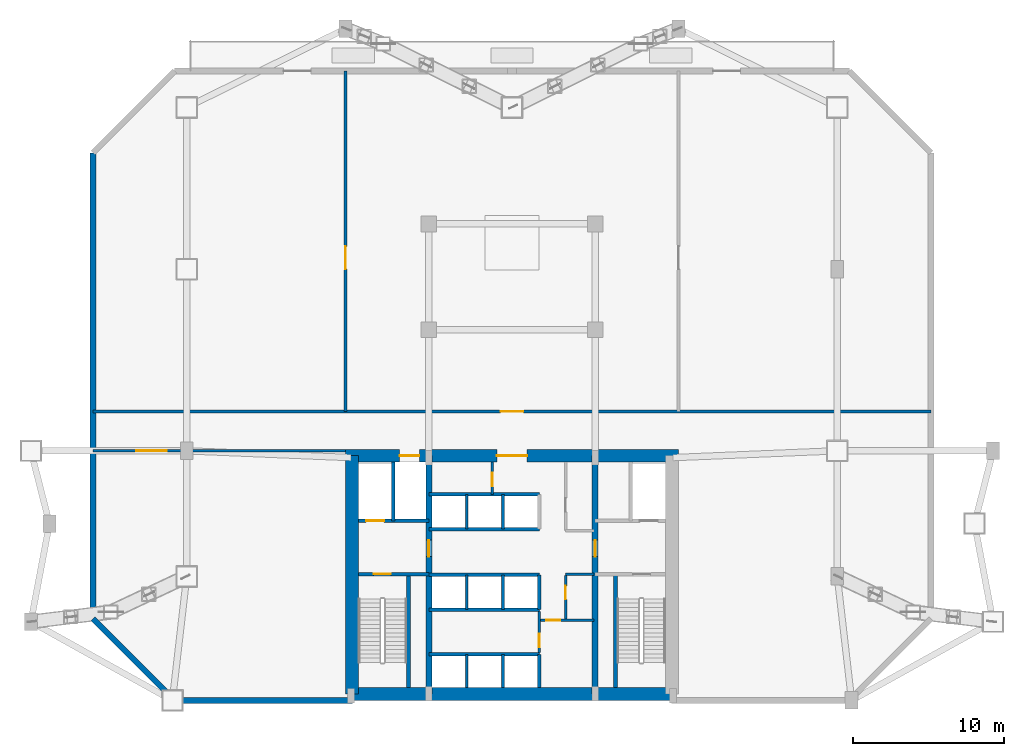
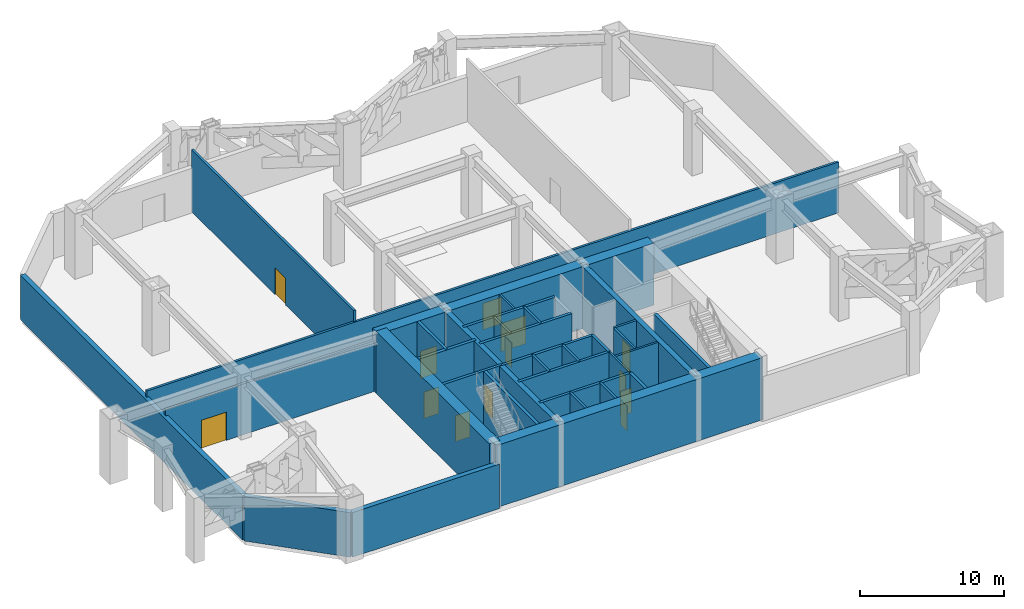
# One storey, part 6 of 9: 34 walls, 13 doors, 13 openings.
"""IFC4 building model written with IfcOpenShell, lengths in metres."""

from ifc_helpers import new_model, si_unit, direction, frame, frame_2d, origin, place, context, subcontext, project, spatial, rectangle, extrude, source, transform, mapped, material, layer, layer_set, type_object, type_shapes, element, fill, save


model = new_model("IFC4")

# Units and contexts
model_context = context("Model", 3, precision=1e-05, world=origin(), true_north=direction((0.0, 1.0)))
body_context = subcontext(model_context, "Body", "Model", "MODEL_VIEW")
ifc_project = project(units=[si_unit("LENGTHUNIT", "METRE"), si_unit("AREAUNIT", "SQUARE_METRE"), si_unit("VOLUMEUNIT", "CUBIC_METRE"), si_unit("PLANEANGLEUNIT", "RADIAN"), si_unit("MASSUNIT", "GRAM", prefix="KILO")], contexts=[model_context])

# Site, building, storey
site_placement = place(None, origin())
site = spatial("IfcSite", under=ifc_project, at=site_placement, CompositionType="ELEMENT")
building_placement = place(site_placement, origin())
building = spatial("IfcBuilding", under=site, at=building_placement, Name="Varnakhor Terracotta Tower", CompositionType="ELEMENT")
storey_placement = place(building_placement, frame((0.0, 0.0, 22.0)))
storey = spatial("IfcBuildingStorey", under=building, at=storey_placement, Name="L04", CompositionType="ELEMENT", Elevation=22.0)

# Wall
ifc_material_1 = material(Name="Concrete C60/75", Category="concrete")
ifc_layer_1 = layer(ifc_material_1, 0.85009765625, Name="Concrete C60/75")
ifc_layer_set_1 = layer_set([ifc_layer_1], Name="Concrete C60/75")
wall_type_1 = type_object("IfcWallType", Name="WAL-CORE-850", PredefinedType="SHEAR", material=ifc_layer_set_1)
wall_1_placement = place(storey_placement, frame((-10.64990234375, 0.425048828125, 0.0), z_axis=(0.0, 0.0, 1.0), x_axis=(1.0, 0.0, 0.0)))
element("IfcWall", 1, at=wall_1_placement, inside=storey, type_object=wall_type_1, Name="L04 South Core Shear Wall", PredefinedType="SHEAR", context=body_context, shape_type="SweptSolid", body=[
    extrude(rectangle(XDim=21.2998046875, YDim=0.85009765625, at=frame_2d((10.64990234375, 0.0))), origin(), (0.0, 0.0, 1.0), 5.25),
])

# Wall, openings, doors
wall_2_placement = place(storey_placement, frame((-11.0, 16.175048828125, 0.0), z_axis=(0.0, 0.0, 1.0), x_axis=(1.0, 0.0, 0.0)))
wall_2 = element("IfcWall", 2, at=wall_2_placement, inside=storey, type_object=wall_type_1, Name="L04 North Core Shear Wall", PredefinedType="SHEAR", context=body_context, shape_type="SweptSolid", body=[
    extrude(rectangle(XDim=22.0, YDim=0.85009765625, at=frame_2d((11.0, 0.0))), origin(), (0.0, 0.0, 1.0), 5.25),
])
opening_1_placement = place(wall_2_placement, frame((3.570068359375, 0.0, 0.0)))
opening_1 = element("IfcOpeningElement", 3, at=opening_1_placement, cuts=wall_2, Name="Opening LD-03", PredefinedType="OPENING", context=body_context, shape_type="SweptSolid", body=[
    extrude(rectangle(XDim=1.300048828125, YDim=2.300048828125, at=frame_2d((0.64990234375, 1.14990234375))), frame((0.0, 0.43505859375, 0.0), z_axis=(0.0, -1.0, 0.0), x_axis=(1.0, 0.0, 0.0)), (0.0, 0.0, 1.0), 0.8701171875),
])
opening_2_placement = place(wall_2_placement, frame((10.0, 0.0, 0.0)))
opening_2 = element("IfcOpeningElement", 4, at=opening_2_placement, cuts=wall_2, Name="Opening DR-32", PredefinedType="OPENING", context=body_context, shape_type="SweptSolid", body=[
    extrude(rectangle(XDim=2.0, YDim=2.39990234375, at=frame_2d((1.0, 1.199951171875))), frame((0.0, 0.43505859375, 0.0), z_axis=(0.0, -1.0, 0.0), x_axis=(1.0, 0.0, 0.0)), (0.0, 0.0, 1.0), 0.8701171875),
])
ifc_material_2 = material(Name="Heavy-Duty Goods Sliding Lift Landing Door", Category="steel")
door_type_1 = type_object("IfcDoorType", Name="LD-SRV-1300X2300", OperationType="NOTDEFINED", PredefinedType="DOOR", material=ifc_material_2)
shared_shape_1 = source(origin(), body_context, "Body", "SweptSolid", [
    extrude(rectangle(XDim=1.300048828125, YDim=2.300048828125, at=frame_2d((0.64990234375, 1.14990234375))), frame((0.0, 0.02490234375, 0.0), z_axis=(0.0, -1.0, 0.0), x_axis=(1.0, 0.0, 0.0)), (0.0, 0.0, 1.0), 0.050048828125),
])
type_shapes(door_type_1, [shared_shape_1])
door_1_placement = place(opening_1_placement, origin())
door_1 = element("IfcDoor", 5, at=door_1_placement, inside=storey, type_object=door_type_1, Name="L04 Service Lift SVL-1 Landing Door", OperationType="SLIDING_TO_RIGHT", OverallHeight=2.300048828125, OverallWidth=1.300048828125, PredefinedType="DOOR", context=body_context, shape_type="MappedRepresentation", body=[
    mapped(shared_shape_1, transform((0.0, 0.0, 0.0), scale=1.0)),
])
fill(opening_1, door_1)
ifc_material_3 = material(Name="Acoustic Double Assembly Fire Door", Category="wood")
door_type_2 = type_object("IfcDoorType", Name="DR-HALL-2000X2400", OperationType="NOTDEFINED", PredefinedType="DOOR", material=ifc_material_3)
shared_shape_2 = source(origin(), body_context, "Body", "SweptSolid", [
    extrude(rectangle(XDim=2.0, YDim=2.39990234375, at=frame_2d((1.0, 1.199951171875))), frame((0.0, 0.02490234375, 0.0), z_axis=(0.0, -1.0, 0.0), x_axis=(1.0, 0.0, 0.0)), (0.0, 0.0, 1.0), 0.050048828125),
])
type_shapes(door_type_2, [shared_shape_2])
door_2_placement = place(opening_2_placement, origin())
door_2 = element("IfcDoor", 6, at=door_2_placement, inside=storey, type_object=door_type_2, Name="L04 Core Main Lobby Double Door", OperationType="DOUBLE_DOOR_SINGLE_SWING", OverallHeight=2.39990234375, OverallWidth=2.0, PredefinedType="DOOR", context=body_context, shape_type="MappedRepresentation", body=[
    mapped(shared_shape_2, transform((0.0, 0.0, 0.0), scale=1.0)),
])
fill(opening_2, door_2)

# Wall
wall_3_placement = place(storey_placement, frame((-10.574951171875, 0.425048828125, 0.0), z_axis=(0.0, 0.0, 1.0), x_axis=(0.0, 1.0, 0.0)))
element("IfcWall", 7, at=wall_3_placement, inside=storey, type_object=wall_type_1, Name="L04 West Core Shear Wall", PredefinedType="SHEAR", context=body_context, shape_type="SweptSolid", body=[
    extrude(rectangle(XDim=15.75, YDim=0.85009765625, at=frame_2d((7.875, 0.0))), origin(), (0.0, 0.0, 1.0), 5.25),
])

# Wall, opening, door
ifc_material_4 = material(Name="Concrete C50/60", Category="concrete")
ifc_layer_2 = layer(ifc_material_4, 0.39990234375, Name="Concrete C50/60")
ifc_layer_set_2 = layer_set([ifc_layer_2], Name="Concrete C50/60")
wall_type_2 = type_object("IfcWallType", Name="WAL-CORE-WEB-400", PredefinedType="SHEAR", material=ifc_layer_set_2)
wall_4_placement = place(storey_placement, frame((-5.5, 0.425048828125, 0.0), z_axis=(0.0, 0.0, 1.0), x_axis=(0.0, 1.0, 0.0)))
wall_4 = element("IfcWall", 8, at=wall_4_placement, inside=storey, type_object=wall_type_2, Name="L04 West Core Web Shear Wall", PredefinedType="SHEAR", context=body_context, shape_type="SweptSolid", body=[
    extrude(rectangle(XDim=15.75, YDim=0.39990234375, at=frame_2d((7.875, 0.0))), origin(), (0.0, 0.0, 1.0), 5.25),
])
opening_3_placement = place(wall_4_placement, frame((9.074951171875, 0.0, 0.0)))
opening_3 = element("IfcOpeningElement", 9, at=opening_3_placement, cuts=wall_4, Name="Opening DR-25", PredefinedType="OPENING", context=body_context, shape_type="SweptSolid", body=[
    extrude(rectangle(XDim=1.10009765625, YDim=2.199951171875, at=frame_2d((0.550048828125, 1.10009765625))), frame((0.0, 0.2099609375, 0.0), z_axis=(0.0, -1.0, 0.0), x_axis=(1.0, 0.0, 0.0)), (0.0, 0.0, 1.0), 0.419921875),
])
ifc_material_5 = material(Name="Firefighting Lobby Self-Closing Fire Door", Category="steel")
door_type_3 = type_object("IfcDoorType", Name="DR-FFL-1100X2200", OperationType="NOTDEFINED", PredefinedType="DOOR", material=ifc_material_5)
shared_shape_3 = source(origin(), body_context, "Body", "SweptSolid", [
    extrude(rectangle(XDim=1.10009765625, YDim=2.199951171875, at=frame_2d((0.550048828125, 1.10009765625))), frame((0.0, 0.02490234375, 0.0), z_axis=(0.0, -1.0, 0.0), x_axis=(1.0, 0.0, 0.0)), (0.0, 0.0, 1.0), 0.050048828125),
])
type_shapes(door_type_3, [shared_shape_3])
door_3_placement = place(opening_3_placement, origin())
door_3 = element("IfcDoor", 10, at=door_3_placement, inside=storey, type_object=door_type_3, Name="L04 West Firefighting Lobby Door", OperationType="SINGLE_SWING_RIGHT", OverallHeight=2.199951171875, OverallWidth=1.10009765625, PredefinedType="DOOR", context=body_context, shape_type="MappedRepresentation", body=[
    mapped(shared_shape_3, transform((0.0, 0.0, 0.0), scale=1.0)),
])
fill(opening_3, door_3)

wall_5_placement = place(storey_placement, frame((5.5, 0.425048828125, 0.0), z_axis=(0.0, 0.0, 1.0), x_axis=(0.0, 1.0, 0.0)))
wall_5 = element("IfcWall", 11, at=wall_5_placement, inside=storey, type_object=wall_type_2, Name="L04 East Core Web Shear Wall", PredefinedType="SHEAR", context=body_context, shape_type="SweptSolid", body=[
    extrude(rectangle(XDim=15.75, YDim=0.39990234375, at=frame_2d((7.875, 0.0))), origin(), (0.0, 0.0, 1.0), 5.25),
])
opening_4_placement = place(wall_5_placement, frame((9.074951171875, 0.0, 0.0)))
opening_4 = element("IfcOpeningElement", 12, at=opening_4_placement, cuts=wall_5, Name="Opening DR-25", PredefinedType="OPENING", context=body_context, shape_type="SweptSolid", body=[
    extrude(rectangle(XDim=1.10009765625, YDim=2.199951171875, at=frame_2d((0.550048828125, 1.10009765625))), frame((0.0, 0.2099609375, 0.0), z_axis=(0.0, -1.0, 0.0), x_axis=(1.0, 0.0, 0.0)), (0.0, 0.0, 1.0), 0.419921875),
])
door_4_placement = place(opening_4_placement, origin())
door_4 = element("IfcDoor", 13, at=door_4_placement, inside=storey, type_object=door_type_3, Name="L04 East Firefighting Lobby Door", OperationType="SINGLE_SWING_RIGHT", OverallHeight=2.199951171875, OverallWidth=1.10009765625, PredefinedType="DOOR", context=body_context, shape_type="MappedRepresentation", body=[
    mapped(shared_shape_3, transform((0.0, 0.0, 0.0), scale=1.0)),
])
fill(opening_4, door_4)

ifc_material_6 = material(Name="Fire-Rated Gypsum Stud Partition", Category="gypsum")
ifc_layer_3 = layer(ifc_material_6, 0.18505859375, Name="Fire-Rated Gypsum Stud Partition")
ifc_layer_set_3 = layer_set([ifc_layer_3], Name="Fire-Rated Gypsum Stud Partition")
wall_type_3 = type_object("IfcWallType", Name="WAL-CORR-185", PredefinedType="PARTITIONING", material=ifc_layer_set_3)
wall_6_placement = place(storey_placement, frame((-27.68994140625, 16.5, 0.0), z_axis=(0.0, 0.0, 1.0), x_axis=(1.0, 0.0, 0.0)))
wall_6 = element("IfcWall", 14, at=wall_6_placement, inside=storey, type_object=wall_type_3, Name="L04 Plant Corridor South Wall", PredefinedType="PARTITIONING", context=body_context, shape_type="SweptSolid", body=[
    extrude(rectangle(XDim=16.669921875, YDim=0.18505859375, at=frame_2d((8.3349609375, 0.0))), origin(), (0.0, 0.0, 1.0), 4.302978515625),
])
opening_5_placement = place(wall_6_placement, frame((2.85791015625, 0.0, 0.0)))
opening_5 = element("IfcOpeningElement", 15, at=opening_5_placement, cuts=wall_6, Name="Opening DR-32", PredefinedType="OPENING", context=body_context, shape_type="SweptSolid", body=[
    extrude(rectangle(XDim=2.0, YDim=2.39990234375, at=frame_2d((1.0, 1.199951171875))), frame((0.0, 0.1025390625, 0.0), z_axis=(0.0, -1.0, 0.0), x_axis=(1.0, 0.0, 0.0)), (0.0, 0.0, 1.0), 0.205078125),
])
door_5_placement = place(opening_5_placement, origin())
door_5 = element("IfcDoor", 16, at=door_5_placement, inside=storey, type_object=door_type_2, Name="L04 Smoke Fan Room Door", OperationType="DOUBLE_DOOR_SINGLE_SWING", OverallHeight=2.39990234375, OverallWidth=2.0, PredefinedType="DOOR", context=body_context, shape_type="MappedRepresentation", body=[
    mapped(shared_shape_2, transform((0.0, 0.0, 0.0), scale=1.0)),
])
fill(opening_5, door_5)

wall_7_placement = place(storey_placement, frame((-27.68994140625, 19.10009765625, 0.0), z_axis=(0.0, 0.0, 1.0), x_axis=(1.0, 0.0, 0.0)))
wall_7 = element("IfcWall", 17, at=wall_7_placement, inside=storey, type_object=wall_type_3, Name="L04 Plant Corridor North Wall", PredefinedType="PARTITIONING", context=body_context, shape_type="SweptSolid", body=[
    extrude(rectangle(XDim=55.3798828125, YDim=0.18505859375, at=frame_2d((27.68994140625, 0.0))), origin(), (0.0, 0.0, 1.0), 4.302978515625),
])
opening_6_placement = place(wall_7_placement, frame((26.93994140625, 0.0, 0.0)))
opening_6 = element("IfcOpeningElement", 18, at=opening_6_placement, cuts=wall_7, Name="Opening DR-30", PredefinedType="OPENING", context=body_context, shape_type="SweptSolid", body=[
    extrude(rectangle(XDim=1.5, YDim=2.25, at=frame_2d((0.75, 1.125))), frame((0.0, 0.1025390625, 0.0), z_axis=(0.0, -1.0, 0.0), x_axis=(1.0, 0.0, 0.0)), (0.0, 0.0, 1.0), 0.205078125),
])
ifc_material_7 = material(Name="Double Acoustic Conference Room Door", Category="wood")
door_type_4 = type_object("IfcDoorType", Name="DR-MEET-1500X2250", OperationType="NOTDEFINED", PredefinedType="DOOR", material=ifc_material_7)
shared_shape_4 = source(origin(), body_context, "Body", "SweptSolid", [
    extrude(rectangle(XDim=1.5, YDim=2.25, at=frame_2d((0.75, 1.125))), frame((0.0, 0.02490234375, 0.0), z_axis=(0.0, -1.0, 0.0), x_axis=(1.0, 0.0, 0.0)), (0.0, 0.0, 1.0), 0.050048828125),
])
type_shapes(door_type_4, [shared_shape_4])
door_6_placement = place(opening_6_placement, origin())
door_6 = element("IfcDoor", 19, at=door_6_placement, inside=storey, type_object=door_type_4, Name="L04 Central AHU Plant Door", OperationType="DOUBLE_DOOR_SINGLE_SWING", OverallHeight=2.25, OverallWidth=1.5, PredefinedType="DOOR", context=body_context, shape_type="MappedRepresentation", body=[
    mapped(shared_shape_4, transform((0.0, 0.0, 0.0), scale=1.0)),
])
fill(opening_6, door_6)

wall_8_placement = place(storey_placement, frame((-11.0, 19.10009765625, 0.0), z_axis=(0.0, 0.0, 1.0), x_axis=(0.0, 1.0, 0.0)))
wall_8 = element("IfcWall", 20, at=wall_8_placement, inside=storey, type_object=wall_type_3, Name="L04 West Plant Division Wall", PredefinedType="PARTITIONING", context=body_context, shape_type="SweptSolid", body=[
    extrude(rectangle(XDim=22.489990234375, YDim=0.18505859375, at=frame_2d((11.2451171875, 0.0))), origin(), (0.0, 0.0, 1.0), 5.241943359375),
])
opening_7_placement = place(wall_8_placement, frame((9.404541015625, 0.0, 0.0)))
opening_7 = element("IfcOpeningElement", 21, at=opening_7_placement, cuts=wall_8, Name="Opening DR-30", PredefinedType="OPENING", context=body_context, shape_type="SweptSolid", body=[
    extrude(rectangle(XDim=1.5, YDim=2.25, at=frame_2d((0.75, 1.125))), frame((0.0, 0.1025390625, 0.0), z_axis=(0.0, -1.0, 0.0), x_axis=(1.0, 0.0, 0.0)), (0.0, 0.0, 1.0), 0.205078125),
])
door_7_placement = place(opening_7_placement, origin())
door_7 = element("IfcDoor", 22, at=door_7_placement, inside=storey, type_object=door_type_4, Name="L04 Chilled Water Room Door", OperationType="DOUBLE_DOOR_SINGLE_SWING", OverallHeight=2.25, OverallWidth=1.5, PredefinedType="DOOR", context=body_context, shape_type="MappedRepresentation", body=[
    mapped(shared_shape_4, transform((0.0, 0.0, 0.0), scale=1.0)),
])
fill(opening_7, door_7)

# Walls
ifc_material_8 = material(Name="Honed Riyadh Limestone Assembly", Category="masonry")
ifc_layer_4 = layer(ifc_material_8, 0.3798828125, Name="Honed Riyadh Limestone Assembly")
ifc_layer_set_4 = layer_set([ifc_layer_4], Name="Honed Riyadh Limestone Assembly")
wall_type_4 = type_object("IfcWallType", Name="WAL-EXT-LIMESTONE-380", PredefinedType="SOLIDWALL", material=ifc_layer_set_4)
wall_9_placement = place(storey_placement, frame((-27.699951171875, 5.39990234375, 0.0), z_axis=(0.0, 0.0, 1.0), x_axis=(0.0, 1.0, 0.0)))
element("IfcWall", 23, at=wall_9_placement, inside=storey, type_object=wall_type_4, Name="L04 Podium Side Limestone Wall 1", PredefinedType="SOLIDWALL", context=body_context, shape_type="SweptSolid", body=[
    extrude(rectangle(XDim=30.800048828125, YDim=0.3798828125, at=frame_2d((15.39990234375, 0.0))), origin(), (0.0, 0.0, 1.0), 3.77001953125),
])
wall_10_placement = place(storey_placement, frame((-10.550048828125, 0.0, 0.0), z_axis=(0.0, 0.0, 1.0), x_axis=(-1.0, 0.0, 0.0)))
element("IfcWall", 24, at=wall_10_placement, inside=storey, type_object=wall_type_4, Name="L04 Limestone Podium Wall SW", PredefinedType="SOLIDWALL", context=body_context, shape_type="SweptSolid", body=[
    extrude(rectangle(XDim=11.75, YDim=0.3798828125, at=frame_2d((5.875, 0.0))), origin(), (0.0, 0.0, 1.0), 3.77001953125),
])
wall_11_placement = place(storey_placement, frame((-22.300048828125, 0.0, 0.0), z_axis=(0.0, 0.0, 1.0), x_axis=(-0.707106781187, 0.707106781187, 0.0)))
element("IfcWall", 25, at=wall_11_placement, inside=storey, type_object=wall_type_4, Name="L04 Podium Chamfer Limestone Wall 8", PredefinedType="SOLIDWALL", context=body_context, shape_type="SweptSolid", body=[
    extrude(rectangle(XDim=7.63671875, YDim=0.3798828125, at=frame_2d((3.818359375, 0.0))), origin(), (0.0, 0.0, 1.0), 3.77001953125),
])

# Wall, opening, door
ifc_material_9 = material(Name="Concrete C40/50", Category="concrete")
ifc_layer_5 = layer(ifc_material_9, 0.219970703125, Name="Concrete C40/50")
ifc_layer_set_5 = layer_set([ifc_layer_5], Name="Concrete C40/50")
wall_type_5 = type_object("IfcWallType", Name="WAL-FFLOBBY-220", PredefinedType="SOLIDWALL", material=ifc_layer_set_5)
wall_12_placement = place(storey_placement, frame((-5.5, 8.35009765625, 0.0), z_axis=(0.0, 0.0, 1.0), x_axis=(-1.0, 0.0, 0.0)))
wall_12 = element("IfcWall", 26, at=wall_12_placement, inside=storey, type_object=wall_type_5, Name="L04 West Firefighting Lobby Stair Wall", PredefinedType="SOLIDWALL", context=body_context, shape_type="SweptSolid", body=[
    extrude(rectangle(XDim=4.64990234375, YDim=0.219970703125, at=frame_2d((2.324951171875, 0.0))), origin(), (0.0, 0.0, 1.0), 5.25),
])
opening_8_placement = place(wall_12_placement, frame((2.5, 0.0, 0.0)))
opening_8 = element("IfcOpeningElement", 27, at=opening_8_placement, cuts=wall_12, Name="Opening DR-34", PredefinedType="OPENING", context=body_context, shape_type="SweptSolid", body=[
    extrude(rectangle(XDim=1.14990234375, YDim=2.199951171875, at=frame_2d((0.574951171875, 1.10009765625))), frame((0.0, 0.1201171875, 0.0), z_axis=(0.0, -1.0, 0.0), x_axis=(1.0, 0.0, 0.0)), (0.0, 0.0, 1.0), 0.239990234375),
])
ifc_material_10 = material(Name="Self-Closing Smoke-Sealed Steel Fire Door", Category="steel")
door_type_5 = type_object("IfcDoorType", Name="DR-STAIR-1150X2200", OperationType="NOTDEFINED", PredefinedType="DOOR", material=ifc_material_10)
shared_shape_5 = source(origin(), body_context, "Body", "SweptSolid", [
    extrude(rectangle(XDim=1.14990234375, YDim=2.199951171875, at=frame_2d((0.574951171875, 1.10009765625))), frame((0.0, 0.02490234375, 0.0), z_axis=(0.0, -1.0, 0.0), x_axis=(1.0, 0.0, 0.0)), (0.0, 0.0, 1.0), 0.050048828125),
])
type_shapes(door_type_5, [shared_shape_5])
door_8_placement = place(opening_8_placement, origin())
door_8 = element("IfcDoor", 28, at=door_8_placement, inside=storey, type_object=door_type_5, Name="L04 Exit Stair ST-1 Fire Door", OperationType="SINGLE_SWING_LEFT", OverallHeight=2.199951171875, OverallWidth=1.14990234375, PredefinedType="DOOR", context=body_context, shape_type="MappedRepresentation", body=[
    mapped(shared_shape_5, transform((0.0, 0.0, 0.0), scale=1.0)),
])
fill(opening_8, door_8)

# Walls
ifc_layer_6 = layer(ifc_material_9, 0.179931640625, Name="Concrete C40/50")
ifc_layer_set_6 = layer_set([ifc_layer_6], Name="Concrete C40/50")
wall_type_6 = type_object("IfcWallType", Name="WAL-SHAFT-180", PredefinedType="SOLIDWALL", material=ifc_layer_set_6)
for number, where, z_axis, x_axis, name in (
    (29, (-3.0, 0.85009765625, 0.0), (0.0, 0.0, 1.0), (0.0, 1.0, 0.0), "L04 PL-1A Divider"),
    (30, (-0.60009765625, 0.85009765625, 0.0), (0.0, 0.0, 1.0), (0.0, 1.0, 0.0), "L04 PL-1B Divider"),
):
    element("IfcWall", number, at=place(storey_placement, frame(where, z_axis=z_axis, x_axis=x_axis)), inside=storey, type_object=wall_type_6, Name=name, PredefinedType="SOLIDWALL", context=body_context, shape_type="SweptSolid", body=[
        extrude(rectangle(XDim=2.199951171875, YDim=0.179931640625, at=frame_2d((1.10009765625, 0.0))), origin(), (0.0, 0.0, 1.0), 5.25),
    ])
for number, where, z_axis, x_axis, name in (
    (31, (-3.0, 6.0, 0.0), (0.0, 0.0, 1.0), (0.0, 1.0, 0.0), "L04 PL-2A Divider"),
    (32, (-0.60009765625, 6.0, 0.0), (0.0, 0.0, 1.0), (0.0, 1.0, 0.0), "L04 PL-2B Divider"),
    (33, (-3.0, 11.320068359375, 0.0), (0.0, 0.0, 1.0), (0.0, 1.0, 0.0), "L04 PL-3A Divider"),
    (34, (-0.60009765625, 11.320068359375, 0.0), (0.0, 0.0, 1.0), (0.0, 1.0, 0.0), "L04 PL-3B Divider"),
):
    element("IfcWall", number, at=place(storey_placement, frame(where, z_axis=z_axis, x_axis=x_axis)), inside=storey, type_object=wall_type_6, Name=name, PredefinedType="SOLIDWALL", context=body_context, shape_type="SweptSolid", body=[
        extrude(rectangle(XDim=2.300048828125, YDim=0.179931640625, at=frame_2d((1.14990234375, 0.0))), origin(), (0.0, 0.0, 1.0), 5.25),
    ])
ifc_layer_7 = layer(ifc_material_9, 0.219970703125, Name="Concrete C40/50")
ifc_layer_set_7 = layer_set([ifc_layer_7], Name="Concrete C40/50")
wall_type_7 = type_object("IfcWallType", Name="WAL-SHAFT-220", PredefinedType="SOLIDWALL", material=ifc_layer_set_7)
wall_13_placement = place(storey_placement, frame((-7.840087890625, 11.8701171875, 0.0), z_axis=(0.0, 0.0, 1.0), x_axis=(0.0, 1.0, 0.0)))
element("IfcWall", 35, at=wall_13_placement, inside=storey, type_object=wall_type_7, Name="L04 Lift FFL-1 and SVL-1 Divider Wall", PredefinedType="SOLIDWALL", context=body_context, shape_type="SweptSolid", body=[
    extrude(rectangle(XDim=3.8798828125, YDim=0.219970703125, at=frame_2d((1.93994140625, 0.0))), origin(), (0.0, 0.0, 1.0), 5.25),
])
wall_14_placement = place(storey_placement, frame((-5.5, 3.050048828125, 0.0), z_axis=(0.0, 0.0, 1.0), x_axis=(1.0, 0.0, 0.0)))
element("IfcWall", 36, at=wall_14_placement, inside=storey, type_object=wall_type_7, Name="L04 Bank 1 Lift Shaft Wall", PredefinedType="SOLIDWALL", context=body_context, shape_type="SweptSolid", body=[
    extrude(rectangle(XDim=7.320068359375, YDim=0.219970703125, at=frame_2d((3.66015625, 0.0))), origin(), (0.0, 0.0, 1.0), 5.25),
])
wall_15_placement = place(storey_placement, frame((1.800048828125, 0.85009765625, 0.0), z_axis=(0.0, 0.0, 1.0), x_axis=(0.0, 1.0, 0.0)))
element("IfcWall", 37, at=wall_15_placement, inside=storey, type_object=wall_type_7, Name="L04 Bank 1 East Shaft Wall", PredefinedType="SOLIDWALL", context=body_context, shape_type="SweptSolid", body=[
    extrude(rectangle(XDim=2.199951171875, YDim=0.219970703125, at=frame_2d((1.10009765625, 0.0))), origin(), (0.0, 0.0, 1.0), 5.25),
])
for number, where, z_axis, x_axis, name in (
    (38, (-5.5, 6.0, 0.0), (0.0, 0.0, 1.0), (1.0, 0.0, 0.0), "L04 Bank 2 South Shaft Wall"),
    (39, (-5.5, 8.300048828125, 0.0), (0.0, 0.0, 1.0), (1.0, 0.0, 0.0), "L04 Bank 2 North Shaft Wall"),
):
    element("IfcWall", number, at=place(storey_placement, frame(where, z_axis=z_axis, x_axis=x_axis)), inside=storey, type_object=wall_type_7, Name=name, PredefinedType="SOLIDWALL", context=body_context, shape_type="SweptSolid", body=[
        extrude(rectangle(XDim=7.320068359375, YDim=0.219970703125, at=frame_2d((3.66015625, 0.0))), origin(), (0.0, 0.0, 1.0), 5.25),
    ])
wall_16_placement = place(storey_placement, frame((1.800048828125, 6.0, 0.0), z_axis=(0.0, 0.0, 1.0), x_axis=(0.0, 1.0, 0.0)))
element("IfcWall", 40, at=wall_16_placement, inside=storey, type_object=wall_type_7, Name="L04 Bank 2 East Shaft Wall", PredefinedType="SOLIDWALL", context=body_context, shape_type="SweptSolid", body=[
    extrude(rectangle(XDim=2.300048828125, YDim=0.219970703125, at=frame_2d((1.14990234375, 0.0))), origin(), (0.0, 0.0, 1.0), 5.25),
])
for number, where, z_axis, x_axis, name in (
    (41, (-5.5, 11.320068359375, 0.0), (0.0, 0.0, 1.0), (1.0, 0.0, 0.0), "L04 Bank 3 South Shaft Wall"),
    (42, (-5.5, 13.6201171875, 0.0), (0.0, 0.0, 1.0), (1.0, 0.0, 0.0), "L04 Bank 3 North Shaft Wall"),
):
    element("IfcWall", number, at=place(storey_placement, frame(where, z_axis=z_axis, x_axis=x_axis)), inside=storey, type_object=wall_type_7, Name=name, PredefinedType="SOLIDWALL", context=body_context, shape_type="SweptSolid", body=[
        extrude(rectangle(XDim=7.320068359375, YDim=0.219970703125, at=frame_2d((3.66015625, 0.0))), origin(), (0.0, 0.0, 1.0), 5.25),
    ])
ifc_layer_8 = layer(ifc_material_9, 0.25, Name="Concrete C40/50")
ifc_layer_set_8 = layer_set([ifc_layer_8], Name="Concrete C40/50")
wall_type_8 = type_object("IfcWallType", Name="WAL-SHAFT-250", PredefinedType="SOLIDWALL", material=ifc_layer_set_8)
wall_17_placement = place(storey_placement, frame((-6.85009765625, 0.85009765625, 0.0), z_axis=(0.0, 0.0, 1.0), x_axis=(0.0, 1.0, 0.0)))
element("IfcWall", 43, at=wall_17_placement, inside=storey, type_object=wall_type_8, Name="L04 Stair ST-1 Bearing Shaft Wall", PredefinedType="SOLIDWALL", context=body_context, shape_type="SweptSolid", body=[
    extrude(rectangle(XDim=7.5, YDim=0.25, at=frame_2d((3.75, 0.0))), origin(), (0.0, 0.0, 1.0), 5.25),
])

# Wall, opening, door
wall_18_placement = place(storey_placement, frame((-5.5, 11.8701171875, 0.0), z_axis=(0.0, 0.0, 1.0), x_axis=(-1.0, 0.0, 0.0)))
wall_18 = element("IfcWall", 44, at=wall_18_placement, inside=storey, type_object=wall_type_8, Name="L04 Lift FFL-1 Shaft Front Wall", PredefinedType="SOLIDWALL", context=body_context, shape_type="SweptSolid", body=[
    extrude(rectangle(XDim=4.64990234375, YDim=0.25, at=frame_2d((2.324951171875, 0.0))), origin(), (0.0, 0.0, 1.0), 5.25),
])
opening_9_placement = place(wall_18_placement, frame((2.949951171875, 0.0, 0.0)))
opening_9 = element("IfcOpeningElement", 45, at=opening_9_placement, cuts=wall_18, Name="Opening LD-02", PredefinedType="OPENING", context=body_context, shape_type="SweptSolid", body=[
    extrude(rectangle(XDim=1.199951171875, YDim=2.25, at=frame_2d((0.60009765625, 1.125))), frame((0.0, 0.135009765625, 0.0), z_axis=(0.0, -1.0, 0.0), x_axis=(1.0, 0.0, 0.0)), (0.0, 0.0, 1.0), 0.27001953125),
])
ifc_material_11 = material(Name="Firefighting Stretcher Sliding Lift Landing Door", Category="steel")
door_type_6 = type_object("IfcDoorType", Name="LD-FFL-1200X2250", OperationType="NOTDEFINED", PredefinedType="DOOR", material=ifc_material_11)
shared_shape_6 = source(origin(), body_context, "Body", "SweptSolid", [
    extrude(rectangle(XDim=1.199951171875, YDim=2.25, at=frame_2d((0.60009765625, 1.125))), frame((0.0, 0.02490234375, 0.0), z_axis=(0.0, -1.0, 0.0), x_axis=(1.0, 0.0, 0.0)), (0.0, 0.0, 1.0), 0.050048828125),
])
type_shapes(door_type_6, [shared_shape_6])
door_9_placement = place(opening_9_placement, origin())
door_9 = element("IfcDoor", 46, at=door_9_placement, inside=storey, type_object=door_type_6, Name="L04 Firefighting Lift FFL-1 Landing Door", OperationType="SLIDING_TO_LEFT", OverallHeight=2.25, OverallWidth=1.199951171875, PredefinedType="DOOR", context=body_context, shape_type="MappedRepresentation", body=[
    mapped(shared_shape_6, transform((0.0, 0.0, 0.0), scale=1.0)),
])
fill(opening_9, door_9)

# Wall
wall_19_placement = place(storey_placement, frame((6.85009765625, 0.85009765625, 0.0), z_axis=(0.0, 0.0, 1.0), x_axis=(0.0, 1.0, 0.0)))
element("IfcWall", 47, at=wall_19_placement, inside=storey, type_object=wall_type_8, Name="L04 Stair ST-2 Bearing Shaft Wall", PredefinedType="SOLIDWALL", context=body_context, shape_type="SweptSolid", body=[
    extrude(rectangle(XDim=7.5, YDim=0.25, at=frame_2d((3.75, 0.0))), origin(), (0.0, 0.0, 1.0), 5.25),
])

# Wall, opening, door
ifc_material_12 = material(Name="Acoustic Fire-Rated Partition", Category="gypsum")
ifc_layer_9 = layer(ifc_material_12, 0.1650390625, Name="Acoustic Fire-Rated Partition")
ifc_layer_set_9 = layer_set([ifc_layer_9], Name="Acoustic Fire-Rated Partition")
wall_type_9 = type_object("IfcWallType", Name="WAL-TENANCY-165", PredefinedType="PARTITIONING", material=ifc_layer_set_9)
wall_20_placement = place(storey_placement, frame((1.800048828125, 3.159912109375, 0.0), z_axis=(0.0, 0.0, 1.0), x_axis=(0.0, 1.0, 0.0)))
wall_20 = element("IfcWall", 48, at=wall_20_placement, inside=storey, type_object=wall_type_9, Name="L04 Core Rated Service Wall", PredefinedType="PARTITIONING", context=body_context, shape_type="SweptSolid", body=[
    extrude(rectangle(XDim=2.719970703125, YDim=0.1650390625, at=frame_2d((1.35986328125, 0.0))), origin(), (0.0, 0.0, 1.0), 5.241943359375),
])
opening_10_placement = place(wall_20_placement, frame((0.35009765625, 0.0, 0.0)))
opening_10 = element("IfcOpeningElement", 49, at=opening_10_placement, cuts=wall_20, Name="Opening DR-67", PredefinedType="OPENING", context=body_context, shape_type="SweptSolid", body=[
    extrude(rectangle(XDim=0.89990234375, YDim=2.10009765625, at=frame_2d((0.449951171875, 1.050048828125))), frame((0.0, 0.092529296875, 0.0), z_axis=(0.0, -1.0, 0.0), x_axis=(1.0, 0.0, 0.0)), (0.0, 0.0, 1.0), 0.18505859375),
])
ifc_material_13 = material(Name="Steel Service Riser Fire Door", Category="steel")
door_type_7 = type_object("IfcDoorType", Name="DR-RISER-900X2100", OperationType="NOTDEFINED", PredefinedType="DOOR", material=ifc_material_13)
shared_shape_7 = source(origin(), body_context, "Body", "SweptSolid", [
    extrude(rectangle(XDim=0.89990234375, YDim=2.10009765625, at=frame_2d((0.449951171875, 1.050048828125))), frame((0.0, 0.02490234375, 0.0), z_axis=(0.0, -1.0, 0.0), x_axis=(1.0, 0.0, 0.0)), (0.0, 0.0, 1.0), 0.050048828125),
])
type_shapes(door_type_7, [shared_shape_7])
door_10_placement = place(opening_10_placement, origin())
door_10 = element("IfcDoor", 50, at=door_10_placement, inside=storey, type_object=door_type_7, Name="L04 Core Store Fire Door", OperationType="SINGLE_SWING_LEFT", OverallHeight=2.10009765625, OverallWidth=0.89990234375, PredefinedType="DOOR", context=body_context, shape_type="MappedRepresentation", body=[
    mapped(shared_shape_7, transform((0.0, 0.0, 0.0), scale=1.0)),
])
fill(opening_10, door_10)

wall_21_placement = place(storey_placement, frame((3.5400390625, 5.382568359375, 0.0), z_axis=(0.0, 0.0, 1.0), x_axis=(0.0, 1.0, 0.0)))
wall_21 = element("IfcWall", 51, at=wall_21_placement, inside=storey, type_object=wall_type_9, Name="L04 Core Service Rated Wall", PredefinedType="PARTITIONING", context=body_context, shape_type="SweptSolid", body=[
    extrude(rectangle(XDim=2.875, YDim=0.1650390625, at=frame_2d((1.4375, 0.0))), origin(), (0.0, 0.0, 1.0), 5.241943359375),
])
opening_11_placement = place(wall_21_placement, frame((1.293701171875, 0.0, 0.0)))
opening_11 = element("IfcOpeningElement", 52, at=opening_11_placement, cuts=wall_21, Name="Opening DR-67", PredefinedType="OPENING", context=body_context, shape_type="SweptSolid", body=[
    extrude(rectangle(XDim=0.89990234375, YDim=2.10009765625, at=frame_2d((0.449951171875, 1.050048828125))), frame((0.0, 0.092529296875, 0.0), z_axis=(0.0, -1.0, 0.0), x_axis=(1.0, 0.0, 0.0)), (0.0, 0.0, 1.0), 0.18505859375),
])
door_11_placement = place(opening_11_placement, origin())
door_11 = element("IfcDoor", 53, at=door_11_placement, inside=storey, type_object=door_type_7, Name="L04 Core Accessible WC Door", OperationType="SINGLE_SWING_LEFT", OverallHeight=2.10009765625, OverallWidth=0.89990234375, PredefinedType="DOOR", context=body_context, shape_type="MappedRepresentation", body=[
    mapped(shared_shape_7, transform((0.0, 0.0, 0.0), scale=1.0)),
])
fill(opening_11, door_11)

# Wall
wall_22_placement = place(storey_placement, frame((3.5400390625, 8.340087890625, 0.0), z_axis=(0.0, 0.0, 1.0), x_axis=(1.0, 0.0, 0.0)))
element("IfcWall", 54, at=wall_22_placement, inside=storey, type_object=wall_type_9, Name="L04 Accessible WC North Wall", PredefinedType="PARTITIONING", context=body_context, shape_type="SweptSolid", body=[
    extrude(rectangle(XDim=1.8798828125, YDim=0.1650390625, at=frame_2d((0.93994140625, 0.0))), origin(), (0.0, 0.0, 1.0), 5.241943359375),
])

# Wall, opening, door
wall_23_placement = place(storey_placement, frame((1.800048828125, 5.300048828125, 0.0), z_axis=(0.0, 0.0, 1.0), x_axis=(1.0, 0.0, 0.0)))
wall_23 = element("IfcWall", 55, at=wall_23_placement, inside=storey, type_object=wall_type_9, Name="L04 Core South Service Rated Wall", PredefinedType="PARTITIONING", context=body_context, shape_type="SweptSolid", body=[
    extrude(rectangle(XDim=3.619873046875, YDim=0.1650390625, at=frame_2d((1.81005859375, 0.0))), origin(), (0.0, 0.0, 1.0), 5.241943359375),
])
opening_12_placement = place(wall_23_placement, frame((0.47998046875, 0.0, 0.0)))
opening_12 = element("IfcOpeningElement", 56, at=opening_12_placement, cuts=wall_23, Name="Opening DR-67", PredefinedType="OPENING", context=body_context, shape_type="SweptSolid", body=[
    extrude(rectangle(XDim=0.89990234375, YDim=2.10009765625, at=frame_2d((0.449951171875, 1.050048828125))), frame((0.0, 0.092529296875, 0.0), z_axis=(0.0, -1.0, 0.0), x_axis=(1.0, 0.0, 0.0)), (0.0, 0.0, 1.0), 0.18505859375),
])
door_12_placement = place(opening_12_placement, origin())
door_12 = element("IfcDoor", 57, at=door_12_placement, inside=storey, type_object=door_type_7, Name="L04 Core IT Room Door", OperationType="SINGLE_SWING_RIGHT", OverallHeight=2.10009765625, OverallWidth=0.89990234375, PredefinedType="DOOR", context=body_context, shape_type="MappedRepresentation", body=[
    mapped(shared_shape_7, transform((0.0, 0.0, 0.0), scale=1.0)),
])
fill(opening_12, door_12)

wall_24_placement = place(storey_placement, frame((-1.300048828125, 13.60009765625, 0.0), z_axis=(0.0, 0.0, 1.0), x_axis=(0.0, 1.0, 0.0)))
wall_24 = element("IfcWall", 58, at=wall_24_placement, inside=storey, type_object=wall_type_9, Name="L04 Male Restroom Wall", PredefinedType="PARTITIONING", context=body_context, shape_type="SweptSolid", body=[
    extrude(rectangle(XDim=2.14990234375, YDim=0.1650390625, at=frame_2d((1.074951171875, 0.0))), origin(), (0.0, 0.0, 1.0), 5.241943359375),
])
opening_13_placement = place(wall_24_placement, frame((0.550048828125, 0.0, 0.0)))
opening_13 = element("IfcOpeningElement", 59, at=opening_13_placement, cuts=wall_24, Name="Opening DR-67", PredefinedType="OPENING", context=body_context, shape_type="SweptSolid", body=[
    extrude(rectangle(XDim=0.89990234375, YDim=2.10009765625, at=frame_2d((0.449951171875, 1.050048828125))), frame((0.0, 0.092529296875, 0.0), z_axis=(0.0, -1.0, 0.0), x_axis=(1.0, 0.0, 0.0)), (0.0, 0.0, 1.0), 0.18505859375),
])
door_13_placement = place(opening_13_placement, origin())
door_13 = element("IfcDoor", 60, at=door_13_placement, inside=storey, type_object=door_type_7, Name="L04 Male WC Door", OperationType="SINGLE_SWING_RIGHT", OverallHeight=2.10009765625, OverallWidth=0.89990234375, PredefinedType="DOOR", context=body_context, shape_type="MappedRepresentation", body=[
    mapped(shared_shape_7, transform((0.0, 0.0, 0.0), scale=1.0)),
])
fill(opening_13, door_13)

save(model, "model.ifc")
